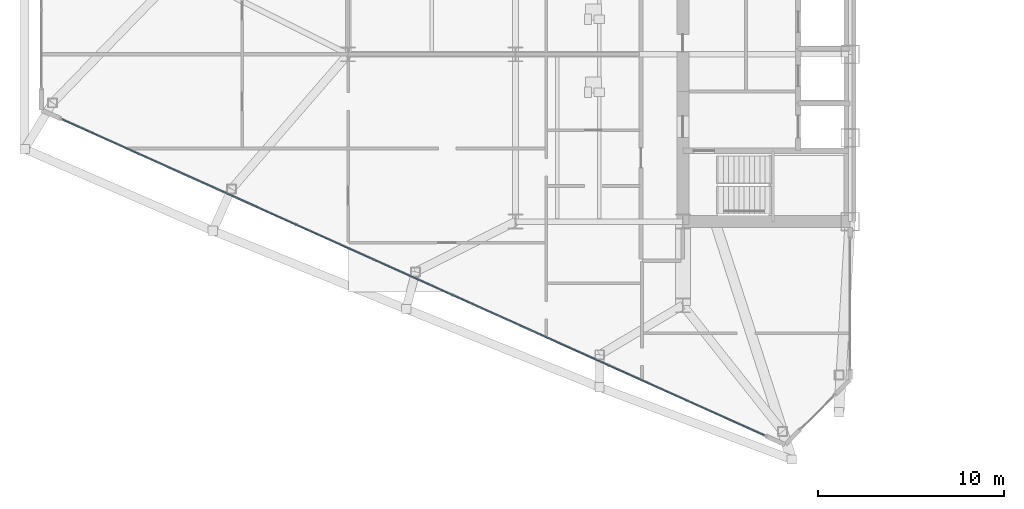
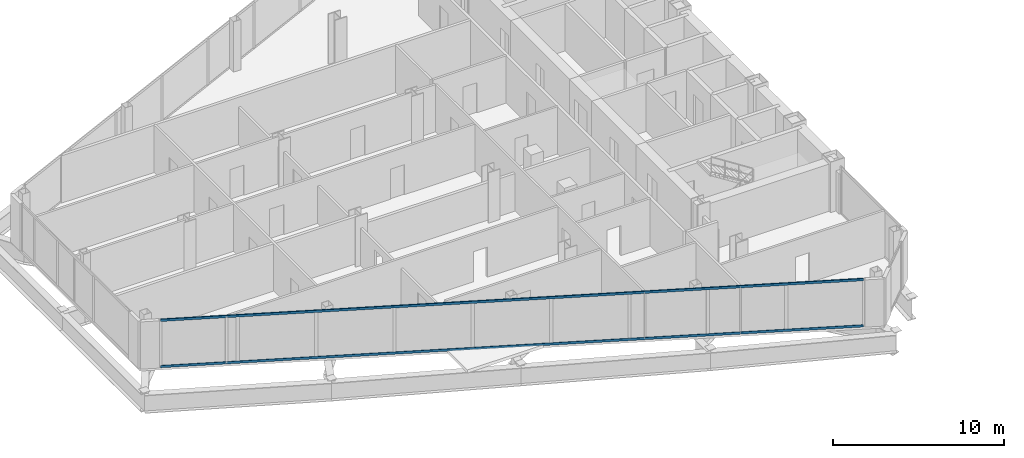
# One storey, part 4 of 29: 2 members, 1 element without a shape of its own.
"""IFC4 building model written with IfcOpenShell, lengths in metres."""

from ifc_helpers import new_model, si_unit, direction, frame, origin, origin_2d, place, context, subcontext, project, spatial, rectangle, extrude, source, transform, mapped, material, layer, layer_set, material_profile, profile_set, type_object, type_shapes, element, aggregate, save


model = new_model("IFC4")

# Units and contexts
model_context = context("Model", 3, precision=1e-05, world=origin(), true_north=direction((0.0, 1.0)))
body_context = subcontext(model_context, "Body", "Model", "MODEL_VIEW")
ifc_project = project(units=[si_unit("LENGTHUNIT", "METRE"), si_unit("AREAUNIT", "SQUARE_METRE"), si_unit("VOLUMEUNIT", "CUBIC_METRE"), si_unit("PLANEANGLEUNIT", "RADIAN"), si_unit("MASSUNIT", "GRAM", prefix="KILO")], contexts=[model_context])

# Site, building, storey
site_placement = place(None, origin())
site = spatial("IfcSite", under=ifc_project, at=site_placement, CompositionType="ELEMENT")
building_placement = place(site_placement, origin())
building = spatial("IfcBuilding", under=site, at=building_placement, Name="Seokmaru Belvedere", CompositionType="ELEMENT")
storey_placement = place(building_placement, frame((0.0, 0.0, 62.10009765625)))
storey = spatial("IfcBuildingStorey", under=building, at=storey_placement, Name="L16", CompositionType="ELEMENT", Elevation=62.10009765625)

# Curtain wall, members
ifc_material_1 = material(Name="Bronze Triple Insulating Glass", Category="glass")
ifc_layer = layer(ifc_material_1, 0.195068359375)
ifc_layer_set = layer_set([ifc_layer], Name="Bronze Triple Insulating Glass")
curtain_wall_type = type_object("IfcCurtainWallType", Name="Lower-Mid Tapered Curtain Wall System CW-3", PredefinedType="NOTDEFINED", material=ifc_layer_set)
curtain_wall_placement = place(storey_placement, origin())
curtain_wall = element("IfcCurtainWall", 1, at=curtain_wall_placement, inside=storey, type_object=curtain_wall_type, Name="L16 Curtain Wall WF5", PredefinedType="NOTDEFINED")
ifc_material_2 = material(Name="Anodised Bronze Aluminium", Category="aluminium")
ifc_material_profile = material_profile(ifc_material_2, rectangle(XDim=0.070068359375, YDim=0.1650390625, at=origin_2d()), Name="CW-T-70x165")
ifc_profile_set = profile_set([ifc_material_profile], Name="Anodised Bronze Aluminium")
member_type = type_object("IfcMemberType", Name="Bronze Unitised Transom 70x165", PredefinedType="USERDEFINED", material=ifc_profile_set)
shared_shape = source(origin(), body_context, "Body", "SweptSolid", [
    extrude(rectangle(XDim=0.070068359375, YDim=0.1650390625, at=origin_2d()), origin(), (0.0, 0.0, 1.0), 41.423583984375),
])
type_shapes(member_type, [shared_shape])
member_1_placement = place(storey_placement, frame((-69.887451171875, -8.00048828125, 0.034912109375), z_axis=(0.911918637916, -0.410371048956, 0.0), x_axis=(0.410371048956, 0.911918637916, 0.0)))
member_1 = element("IfcMember", 2, at=member_1_placement, type_object=member_type, Name="CW:L16:WF5 Continuous Transom 1", ObjectType="TRANSOM", PredefinedType="USERDEFINED", context=body_context, shape_type="MappedRepresentation", body=[
    mapped(shared_shape, transform((0.0, 0.0, 0.0), scale=1.0)),
])
member_2_placement = place(storey_placement, frame((-69.887451171875, -8.00048828125, 3.344970703125), z_axis=(0.911918637916, -0.410371048956, 0.0), x_axis=(0.410371048956, 0.911918637916, 0.0)))
member_2 = element("IfcMember", 3, at=member_2_placement, type_object=member_type, Name="CW:L16:WF5 Continuous Transom 2", ObjectType="TRANSOM", PredefinedType="USERDEFINED", context=body_context, shape_type="MappedRepresentation", body=[
    mapped(shared_shape, transform((0.0, 0.0, 0.0), scale=1.0)),
])
aggregate(curtain_wall, [member_1, member_2])

save(model, "model.ifc")
